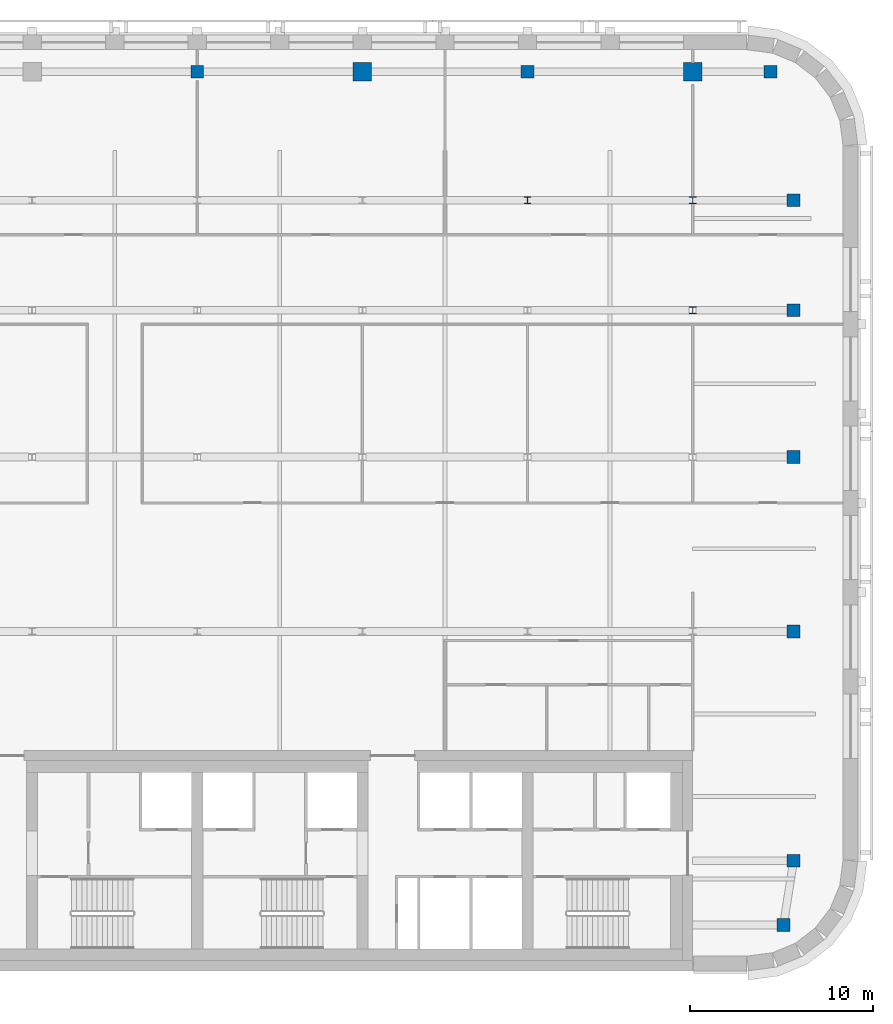
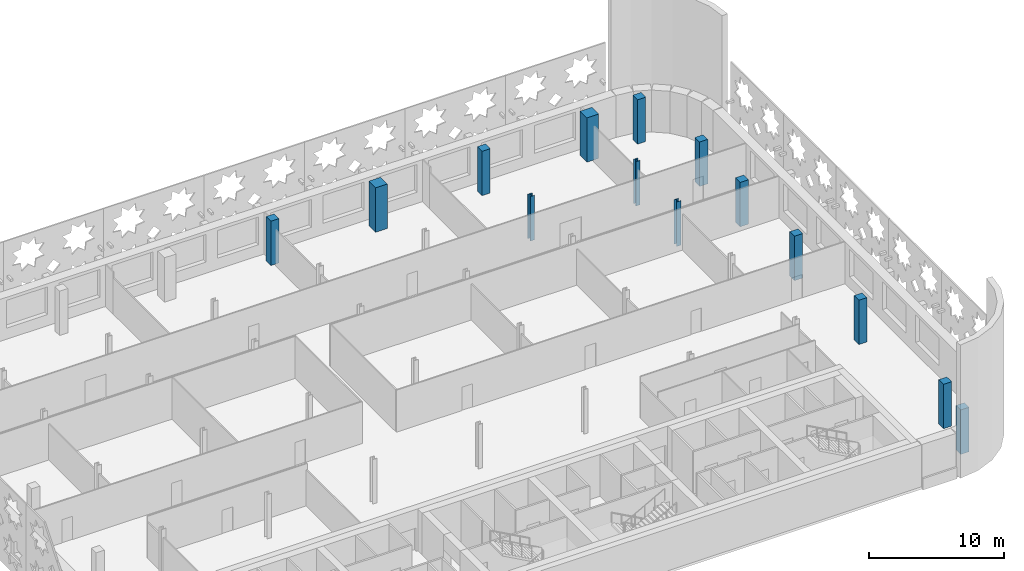
# One storey, part 4 of 16: 14 columns.
"""IFC4 building model written with IfcOpenShell, lengths in metres."""

from ifc_helpers import new_model, si_unit, direction, frame, origin, origin_2d, place, context, subcontext, project, spatial, rectangle, i_section, extrude, material, material_profile, profile_set, type_object, element, save


model = new_model("IFC4")

# Units and contexts
model_context = context("Model", 3, precision=1e-05, world=origin(), true_north=direction((0.0, 1.0)))
body_context = subcontext(model_context, "Body", "Model", "MODEL_VIEW")
ifc_project = project(units=[si_unit("LENGTHUNIT", "METRE"), si_unit("AREAUNIT", "SQUARE_METRE"), si_unit("VOLUMEUNIT", "CUBIC_METRE"), si_unit("PLANEANGLEUNIT", "RADIAN"), si_unit("MASSUNIT", "GRAM", prefix="KILO")], contexts=[model_context])

# Site, building, storey
site_placement = place(None, origin())
site = spatial("IfcSite", under=ifc_project, at=site_placement, CompositionType="ELEMENT")
building_placement = place(site_placement, origin())
building = spatial("IfcBuilding", under=site, at=building_placement, Name="Zellij Exchange Tower", CompositionType="ELEMENT")
storey_placement = place(building_placement, frame((0.0, 0.0, 272.5)))
storey = spatial("IfcBuildingStorey", under=building, at=storey_placement, Name="L64", CompositionType="ELEMENT", Elevation=272.5)

# Columns
ifc_material_1 = material(Name="Concrete C50/60", Category="concrete")
ifc_material_profile_1 = material_profile(ifc_material_1, rectangle(XDim=0.699951171875, YDim=0.699951171875, at=origin_2d()), Name="STR-COLUMN RC700x700 C50/60")
ifc_profile_set_1 = profile_set([ifc_material_profile_1], Name="Concrete C50/60")
column_type_1 = type_object("IfcColumnType", Name="STR-COLUMN RC700x700 C50/60", PredefinedType="COLUMN", material=ifc_profile_set_1)
for number, where, z_axis, x_axis, name in (
    (1, (31.949951171875, -11.5, 0.0), (0.0, 0.0, 1.0), (1.0, 0.0, 0.0), "C14"),
    (2, (32.5, -8.0, 0.0), (0.0, 0.0, 1.0), (1.0, 0.0, 0.0), "C14"),
    (3, (32.5, 4.5, 0.0), (0.0, 0.0, 1.0), (1.0, 0.0, 0.0), "C14"),
    (4, (32.5, 14.0, 0.0), (0.0, 0.0, 1.0), (1.0, 0.0, 0.0), "C14"),
    (5, (32.5, 22.0, 0.0), (0.0, 0.0, 1.0), (1.0, 0.0, 0.0), "C14"),
    (6, (32.5, 28.0, 0.0), (0.0, 0.0, 1.0), (1.0, 0.0, 0.0), "C14"),
    (7, (0.0, 35.0, 0.0), (0.0, 0.0, 1.0), (1.0, 0.0, 0.0), "C14"),
    (8, (18.0, 35.0, 0.0), (0.0, 0.0, 1.0), (1.0, 0.0, 0.0), "C14"),
    (9, (31.25, 35.0, 0.0), (0.0, 0.0, 1.0), (1.0, 0.0, 0.0), "C14"),
):
    element("IfcColumn", number, at=place(storey_placement, frame(where, z_axis=z_axis, x_axis=x_axis)), inside=storey, type_object=column_type_1, Name=name, PredefinedType="COLUMN", context=body_context, shape_type="SweptSolid", body=[
        extrude(rectangle(XDim=0.699951171875, YDim=0.699951171875, at=origin_2d()), origin(), (0.0, 0.0, 1.0), 4.0),
    ])
ifc_material_2 = material(Name="Structural steel ASTM A992 Gr 50", Category="steel")
ifc_material_profile_2 = material_profile(ifc_material_2, i_section(OverallWidth=0.373291015625, OverallDepth=0.373291015625, WebThickness=0.016357421875, FlangeThickness=0.026123046875, at=origin_2d()), Name="W14x132")
ifc_profile_set_2 = profile_set([ifc_material_profile_2], Name="Structural steel ASTM A992 Gr 50")
column_type_2 = type_object("IfcColumnType", Name="STR-COLUMN W14x132", PredefinedType="COLUMN", material=ifc_profile_set_2)
for number, where, z_axis, x_axis, name in (
    (10, (27.0, 22.0, 0.0), (0.0, 0.0, 1.0), (1.0, 0.0, 0.0), "C1"),
    (11, (18.0, 28.0, 0.0), (0.0, 0.0, 1.0), (1.0, 0.0, 0.0), "C1"),
    (12, (27.0, 28.0, 0.0), (0.0, 0.0, 1.0), (1.0, 0.0, 0.0), "C1"),
):
    element("IfcColumn", number, at=place(storey_placement, frame(where, z_axis=z_axis, x_axis=x_axis)), inside=storey, type_object=column_type_2, Name=name, PredefinedType="COLUMN", context=body_context, shape_type="SweptSolid", body=[
        extrude(i_section(OverallWidth=0.373291015625, OverallDepth=0.373291015625, WebThickness=0.016357421875, FlangeThickness=0.026123046875, at=origin_2d()), origin(), (0.0, 0.0, 1.0), 4.0),
    ])
ifc_material_profile_3 = material_profile(ifc_material_1, rectangle(XDim=1.0, YDim=1.0, at=origin_2d()), Name="STR-MEGA COLUMN RC1000x1000 C50/60")
ifc_profile_set_3 = profile_set([ifc_material_profile_3], Name="Concrete C50/60")
column_type_3 = type_object("IfcColumnType", Name="STR-MEGA COLUMN RC1000x1000 C50/60", PredefinedType="COLUMN", material=ifc_profile_set_3)
for number, where, z_axis, x_axis, name in (
    (13, (9.0, 35.0, 0.0), (0.0, 0.0, 1.0), (1.0, 0.0, 0.0), "MC1"),
    (14, (27.0, 35.0, 0.0), (0.0, 0.0, 1.0), (1.0, 0.0, 0.0), "MC1"),
):
    element("IfcColumn", number, at=place(storey_placement, frame(where, z_axis=z_axis, x_axis=x_axis)), inside=storey, type_object=column_type_3, Name=name, PredefinedType="COLUMN", context=body_context, shape_type="SweptSolid", body=[
        extrude(rectangle(XDim=1.0, YDim=1.0, at=origin_2d()), origin(), (0.0, 0.0, 1.0), 4.0),
    ])

save(model, "model.ifc")
